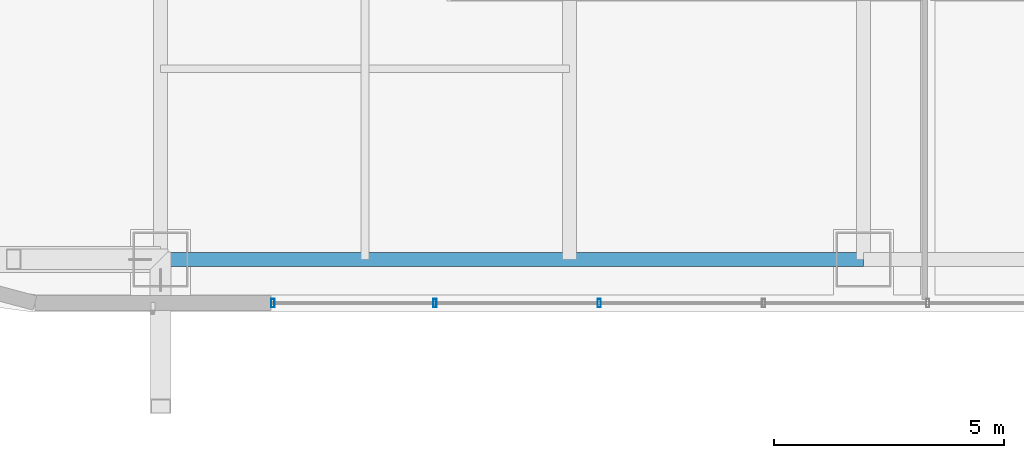
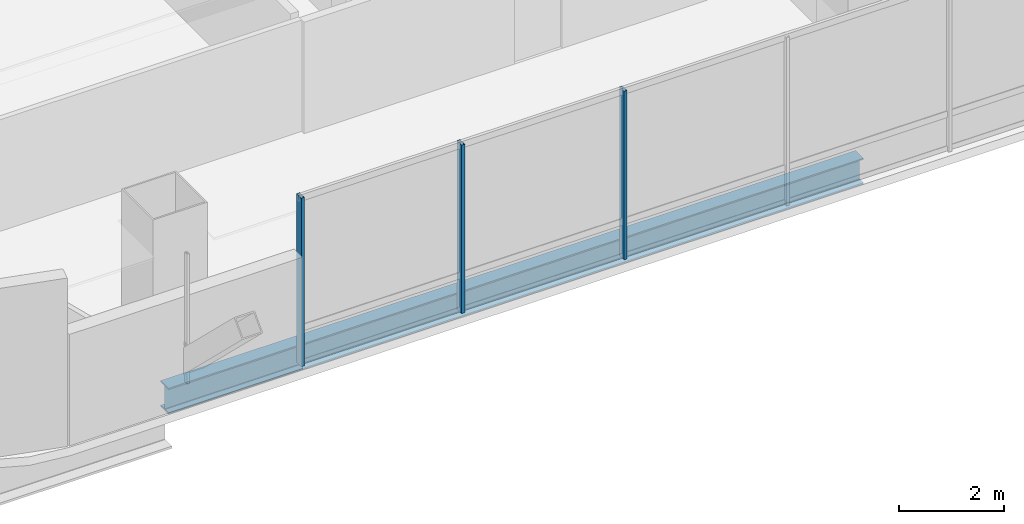
# One storey, part 2 of 51: 3 members, 1 beam, 1 element without a shape of its own.
"""IFC4 building model written with IfcOpenShell, lengths in metres."""

import ifcopenshell
import ifcopenshell.guid

model = None  # the IFC model being written
_history = None  # IfcOwnerHistory: only IFC2X3 demands one
_inside = {}  # id of a spatial element -> (the spatial element, [elements in it])
_under = {}  # id of a project, library or spatial element -> (it, [spatial elements below it])
_declared = {}  # id of a project -> (the project, [libraries it declares])
_typed = {}  # id of a type object -> (the type object, [elements of that type])
_made_of = {}  # id of a material, layer set ... -> (it, [elements and type objects made of it])


def new_model(schema):
    """Start an empty IFC model of exactly this schema.

    Asked for "IFC4X3", IfcOpenShell would pick the latest addendum, in which some entities
    have other attributes; the version numbers below select the first issue.
    IFC2X3 requires an IfcOwnerHistory on every rooted entity: one is made here for all.
    """
    global model, _history
    if schema == "IFC4X3":
        model = ifcopenshell.file(schema_version=(4, 3, 0, 0))
    else:
        model = ifcopenshell.file(schema=schema)
    _inside.clear()
    _under.clear()
    _declared.clear()
    _typed.clear()
    _made_of.clear()
    _history = None
    if model.schema == "IFC2X3":
        org = make("IfcOrganization", Name="unknown")
        user = make(
            "IfcPersonAndOrganization",
            ThePerson=make("IfcPerson", FamilyName="unknown"),
            TheOrganization=org,
        )
        app = make(
            "IfcApplication",
            ApplicationDeveloper=org,
            Version="unknown",
            ApplicationFullName="unknown",
            ApplicationIdentifier="unknown",
        )
        _history = make(
            "IfcOwnerHistory",
            OwningUser=user,
            OwningApplication=app,
            ChangeAction="ADDED",
            CreationDate=0,
        )
    return model


def make(cls, **values):
    """One entity of the class cls with the attributes given. An attribute that is None is left unset."""
    return model.create_entity(
        cls, **{name: value for name, value in values.items() if value is not None}
    )


def rooted(cls, **values):
    """An entity with a GlobalId (a new one), such as an element, a storey or a relation."""
    return make(cls, GlobalId=ifcopenshell.guid.new(), OwnerHistory=_history, **values)


def si_unit(unit_type, name, prefix=None):
    """IfcSIUnit, for example si_unit("LENGTHUNIT", "METRE", prefix="MILLI")."""
    return make("IfcSIUnit", UnitType=unit_type, Prefix=prefix, Name=name)


def assignment(units):
    """IfcUnitAssignment: the units of a project."""
    return None if units is None else make("IfcUnitAssignment", Units=units)


def point(xyz):
    """IfcCartesianPoint."""
    return None if xyz is None else make("IfcCartesianPoint", Coordinates=xyz)


def direction(xyz):
    """IfcDirection."""
    return None if xyz is None else make("IfcDirection", DirectionRatios=xyz)


def frame(location, z_axis=None, x_axis=None):
    """IfcAxis2Placement3D, a coordinate frame: its origin and axes. An axis left out is left unset."""
    return make(
        "IfcAxis2Placement3D",
        Location=point(location),
        Axis=direction(z_axis),
        RefDirection=direction(x_axis),
    )


def frame_2d(location, x_axis=None):
    """IfcAxis2Placement2D, a coordinate frame in the plane: its origin and x axis."""
    return make(
        "IfcAxis2Placement2D", Location=point(location), RefDirection=direction(x_axis)
    )


def origin():
    """The frame at (0, 0, 0) with its axes left unset."""
    return frame((0.0, 0.0, 0.0))


def origin_2d():
    """The frame at (0, 0) in the plane with its x axis left unset."""
    return frame_2d((0.0, 0.0))


def place(relative_to, where):
    """IfcLocalPlacement: puts the frame where relative to a parent placement (None: the world)."""
    return make(
        "IfcLocalPlacement", PlacementRelTo=relative_to, RelativePlacement=where
    )


def context(
    kind, dimensions, precision=None, world=None, true_north=None, identifier=None
):
    """IfcGeometricRepresentationContext, for example the 3D "Model" context."""
    return make(
        "IfcGeometricRepresentationContext",
        ContextIdentifier=identifier,
        ContextType=kind,
        CoordinateSpaceDimension=dimensions,
        Precision=precision,
        WorldCoordinateSystem=world,
        TrueNorth=true_north,
    )


def subcontext(parent, identifier, kind, view, scale=None):
    """IfcGeometricRepresentationSubContext, for example "Body" below "Model"."""
    return make(
        "IfcGeometricRepresentationSubContext",
        ContextIdentifier=identifier,
        ContextType=kind,
        ParentContext=parent,
        TargetScale=scale,
        TargetView=view,
    )


def project(units=None, contexts=None):
    """IfcProject with its units and contexts."""
    return rooted(
        "IfcProject",
        Name="project",
        RepresentationContexts=contexts,
        UnitsInContext=assignment(units),
    )


def spatial(cls, under=None, at=None, **own):
    """A site, building, storey or space (cls), placed at a placement, below another one or the project."""
    s = rooted(cls, ObjectPlacement=at, **own)
    if under is not None:
        _under.setdefault(under.id(), (under, []))[1].append(s)
    return s


def profile(cls, at=None, kind="AREA", **sizes):
    """A parametric profile (cls). Its sizes go by their IFC names, for example OverallWidth=200.0."""
    return make(cls, ProfileType=kind, Position=at, **sizes)


def hollow_rectangle(**sizes):
    """IfcRectangleHollowProfileDef."""
    return profile("IfcRectangleHollowProfileDef", **sizes)


def i_section(**sizes):
    """IfcIShapeProfileDef."""
    return profile("IfcIShapeProfileDef", **sizes)


def extrude(swept, where, along, depth):
    """IfcExtrudedAreaSolid: the profile swept, set in the frame where, extruded along a direction by depth."""
    return make(
        "IfcExtrudedAreaSolid",
        SweptArea=swept,
        Position=where,
        ExtrudedDirection=direction(along),
        Depth=depth,
    )


def shape(context_of_items, identifier, shape_type, items):
    """IfcShapeRepresentation: the items that make up one representation, for example the "Body"."""
    return make(
        "IfcShapeRepresentation",
        ContextOfItems=context_of_items,
        RepresentationIdentifier=identifier,
        RepresentationType=shape_type,
        Items=items,
    )


def material(Name=None, Category=None):
    """IfcMaterial."""
    return make("IfcMaterial", Name=Name, Category=Category)


def material_profile(
    of_material, cross_section, Name=None, Category=None, Priority=None
):
    """IfcMaterialProfile: a cross section and its material."""
    return make(
        "IfcMaterialProfile",
        Name=Name,
        Material=of_material,
        Profile=cross_section,
        Priority=Priority,
        Category=Category,
    )


def profile_set(profiles, Name=None, composite=None):
    """IfcMaterialProfileSet."""
    return make(
        "IfcMaterialProfileSet",
        Name=Name,
        MaterialProfiles=profiles,
        CompositeProfile=composite,
    )


def made_of(thing, what):
    """Note that an element or type object is made of a material, layer set ...; save() writes the relation."""
    if what is not None:
        _made_of.setdefault(what.id(), (what, []))[1].append(thing)
    return thing


def type_object(cls, material=None, **own):
    """A type object (cls), such as IfcWallType, which elements share."""
    return made_of(rooted(cls, **own), material)


def element(
    cls,
    number,
    at=None,
    inside=None,
    cuts=None,
    type_object=None,
    material=None,
    context=None,
    identifier="Body",
    shape_type=None,
    held_by="IfcProductDefinitionShape",
    body=None,
    shapes=None,
    **own,
):
    """One element of the class cls, such as IfcWall. Its Tag is "e" and its number.

    at: its placement. inside: the storey or other place that contains it. cuts: it is an
    opening in that element (IfcRelVoidsElement). A single representation is given by context,
    identifier, shape_type and body (its items); several are given by shapes. held_by: the class
    of the entity that holds the representations. save() writes the other relations.
    """
    e = rooted(cls, Tag="e%d" % number, ObjectPlacement=at, **own)
    if body is not None:
        shapes = [shape(context, identifier, shape_type, body)]
    if shapes is not None:
        e.Representation = make(held_by, Representations=shapes)
    if inside is not None:
        _inside.setdefault(inside.id(), (inside, []))[1].append(e)
    if cuts is not None:
        rooted(
            "IfcRelVoidsElement", RelatingBuildingElement=cuts, RelatedOpeningElement=e
        )
    if type_object is not None:
        _typed.setdefault(type_object.id(), (type_object, []))[1].append(e)
    return made_of(e, material)


def aggregate(whole, parts):
    """IfcRelAggregates: a whole, such as a stair, and the parts it consists of."""
    return rooted("IfcRelAggregates", RelatingObject=whole, RelatedObjects=parts)


def save(model, path):
    """Write the relations noted so far, then the file.

    IfcRelAggregates (storeys below a building ...), IfcRelContainedInSpatialStructure (elements
    in a storey), IfcRelDefinesByType, IfcRelAssociatesMaterial and IfcRelDeclares: one each for
    every whole, place, type object, material and project.
    """
    for whole, parts in _under.values():
        aggregate(whole, parts)
    for where, things in _inside.values():
        rooted(
            "IfcRelContainedInSpatialStructure",
            RelatedElements=things,
            RelatingStructure=where,
        )
    for kind, things in _typed.values():
        rooted("IfcRelDefinesByType", RelatedObjects=things, RelatingType=kind)
    for what, things in _made_of.values():
        rooted("IfcRelAssociatesMaterial", RelatedObjects=things, RelatingMaterial=what)
    for by, libraries in _declared.values():
        rooted("IfcRelDeclares", RelatingContext=by, RelatedDefinitions=libraries)
    model.write(path)


model = new_model("IFC4")

# Units and contexts
model_context = context("Model", 3, precision=1e-05, world=origin(), true_north=direction((0.0, 1.0)))
body_context = subcontext(model_context, "Body", "Model", "MODEL_VIEW")
ifc_project = project(units=[si_unit("LENGTHUNIT", "METRE"), si_unit("AREAUNIT", "SQUARE_METRE"), si_unit("VOLUMEUNIT", "CUBIC_METRE"), si_unit("PLANEANGLEUNIT", "RADIAN"), si_unit("MASSUNIT", "GRAM", prefix="KILO")], contexts=[model_context])

# Site, building, storey
site_placement = place(None, origin())
site = spatial("IfcSite", under=ifc_project, at=site_placement, CompositionType="ELEMENT")
building_placement = place(site_placement, origin())
building = spatial("IfcBuilding", under=site, at=building_placement, Name="Punatoya Terracotta Tower", CompositionType="ELEMENT")
storey_placement = place(building_placement, frame((0.0, 0.0, 313.199951171875)))
storey = spatial("IfcBuildingStorey", under=building, at=storey_placement, Name="L74", CompositionType="ELEMENT", Elevation=313.199951171875)

# Beam
ifc_material_1 = material(Name="Steel S355", Category="steel")
ifc_material_profile_1 = material_profile(ifc_material_1, i_section(OverallWidth=0.300048828125, OverallDepth=0.60009765625, WebThickness=0.015380859375, FlangeThickness=0.030029296875, FilletRadius=0.01806640625, at=origin_2d()))
ifc_profile_set_1 = profile_set([ifc_material_profile_1], Name="Steel S355")
beam_type = type_object("IfcBeamType", Name="BM-PRI-600", PredefinedType="BEAM", material=ifc_profile_set_1)
beam_placement = place(storey_placement, frame((-19.10009765625, -17.5, -0.5), z_axis=(1.0, 0.0, 0.0), x_axis=(0.0, 1.0, 0.0)))
element("IfcBeam", 1, at=beam_placement, inside=storey, type_object=beam_type, Name="BM-L74-RG-S1", PredefinedType="BEAM", context=body_context, shape_type="SweptSolid", body=[
    extrude(i_section(OverallWidth=0.300048828125, OverallDepth=0.60009765625, WebThickness=0.015380859375, FlangeThickness=0.030029296875, FilletRadius=0.01806640625, at=origin_2d()), origin(), (0.0, 0.0, 1.0), 15.300048828125),
])

# Curtain wall, members
ifc_material_2 = material(Name="Aluminium 6063-T6 + Double Low-E Glass", Category="aluminium")
curtain_wall_type = type_object("IfcCurtainWallType", Name="CW-M3", PredefinedType="NOTDEFINED", material=ifc_material_2)
curtain_wall_placement = place(storey_placement, origin())
curtain_wall = element("IfcCurtainWall", 2, at=curtain_wall_placement, inside=storey, type_object=curtain_wall_type, Name="L74 Curtain Wall CW-L74-S01-1", PredefinedType="NOTDEFINED")
ifc_material_3 = material(Name="Aluminium 6063-T6", Category="aluminium")
ifc_material_profile_2 = material_profile(ifc_material_3, hollow_rectangle(XDim=0.070068359375, YDim=0.179931640625, WallThickness=0.00390625, at=origin_2d()))
ifc_profile_set_2 = profile_set([ifc_material_profile_2], Name="Aluminium 6063-T6")
member_type = type_object("IfcMemberType", Name="CW-MUL-M3", PredefinedType="MULLION", material=ifc_profile_set_2)
member_1_placement = place(storey_placement, frame((-16.655029296875, -18.449951171875, 0.0), z_axis=(0.0, 0.0, 1.0), x_axis=(1.0, 0.0, 0.0)))
member_1 = element("IfcMember", 3, at=member_1_placement, type_object=member_type, Name="CW-L74-S01-1 Mullion 00", PredefinedType="MULLION", context=body_context, shape_type="SweptSolid", body=[
    extrude(hollow_rectangle(XDim=0.070068359375, YDim=0.179931640625, WallThickness=0.00390625, at=origin_2d()), origin(), (0.0, 0.0, 1.0), 3.920166015625),
])
member_2_placement = place(storey_placement, frame((-13.125, -18.449951171875, 0.0), z_axis=(0.0, 0.0, 1.0), x_axis=(1.0, 0.0, 0.0)))
member_2 = element("IfcMember", 4, at=member_2_placement, type_object=member_type, Name="CW-L74-S01-1 Mullion 01", PredefinedType="MULLION", context=body_context, shape_type="SweptSolid", body=[
    extrude(hollow_rectangle(XDim=0.070068359375, YDim=0.179931640625, WallThickness=0.00390625, at=origin_2d()), origin(), (0.0, 0.0, 1.0), 3.920166015625),
])
member_3_placement = place(storey_placement, frame((-9.550048828125, -18.449951171875, 0.0), z_axis=(0.0, 0.0, 1.0), x_axis=(1.0, 0.0, 0.0)))
member_3 = element("IfcMember", 5, at=member_3_placement, type_object=member_type, Name="CW-L74-S01-1 Mullion 02", PredefinedType="MULLION", context=body_context, shape_type="SweptSolid", body=[
    extrude(hollow_rectangle(XDim=0.070068359375, YDim=0.179931640625, WallThickness=0.00390625, at=origin_2d()), origin(), (0.0, 0.0, 1.0), 3.920166015625),
])
aggregate(curtain_wall, [member_1, member_2, member_3])

save(model, "model.ifc")
